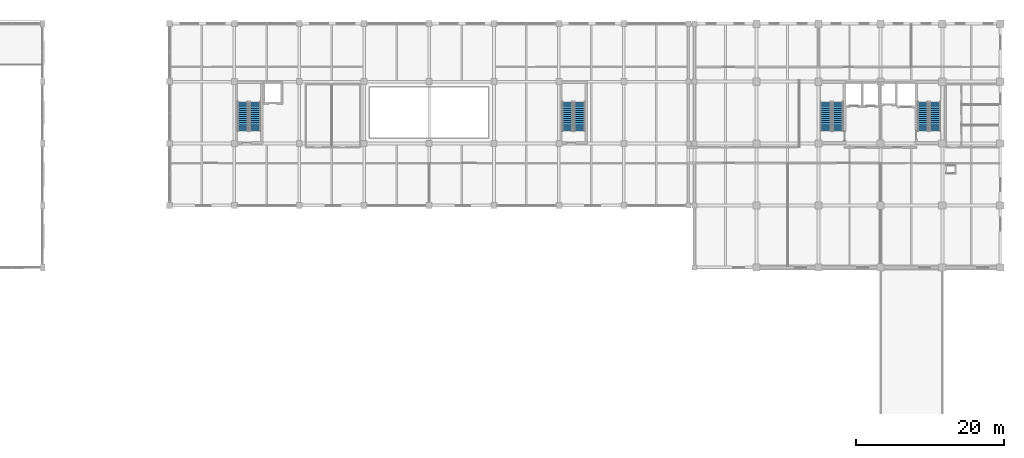
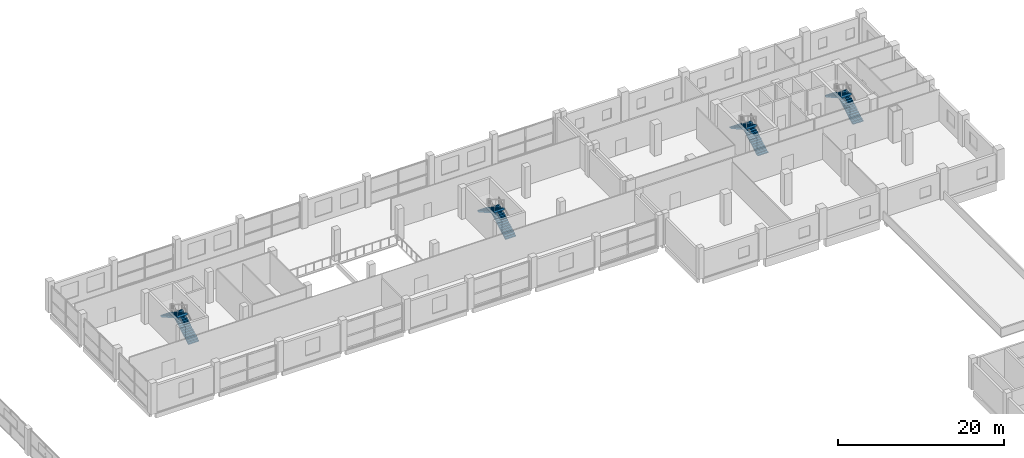
# One storey, part 26 of 31: 8 stair flights, 4 elements without a shape of their own.
"""IFC4 building model written with IfcOpenShell, lengths in metres."""

from ifc_helpers import new_model, si_unit, direction, frame, origin, place, context, subcontext, project, spatial, polyline, outline, extrude, material, type_object, element, aggregate, save


model = new_model("IFC4")

# Units and contexts
model_context = context("Model", 3, precision=1e-05, world=origin(), true_north=direction((0.0, 1.0)))
body_context = subcontext(model_context, "Body", "Model", "MODEL_VIEW")
ifc_project = project(units=[si_unit("LENGTHUNIT", "METRE"), si_unit("AREAUNIT", "SQUARE_METRE"), si_unit("VOLUMEUNIT", "CUBIC_METRE"), si_unit("PLANEANGLEUNIT", "RADIAN"), si_unit("MASSUNIT", "GRAM", prefix="KILO")], contexts=[model_context])

# Site, building, storey
site_placement = place(None, origin())
site = spatial("IfcSite", under=ifc_project, at=site_placement, CompositionType="ELEMENT")
building_placement = place(site_placement, origin())
building = spatial("IfcBuilding", under=site, at=building_placement, Name="Brinegate Botanical Conservatory", CompositionType="ELEMENT")
storey_placement = place(building_placement, frame((0.0, 0.0, 5.39990234375)))
storey = spatial("IfcBuildingStorey", under=building, at=storey_placement, Name="L02", CompositionType="ELEMENT", Elevation=5.39990234375)

# Stair, stair flights
ifc_material = material(Name="Concrete C40/50", Category="concrete")
stair_type = type_object("IfcStairType", Name="Stair_HT-4800", PredefinedType="HALF_TURN_STAIR", material=ifc_material)
stair_1_placement = place(storey_placement, origin())
stair_1 = element("IfcStair", 1, at=stair_1_placement, inside=storey, type_object=stair_type, Name="L02 Tower West Smoke-Proof Stair ST1", PredefinedType="HALF_TURN_STAIR")
stair_flight_type = type_object("IfcStairFlightType", Name="Flight_SF-4800", PredefinedType="STRAIGHT", material=ifc_material)
stair_flight_1_placement = place(storey_placement, frame((141.425048828125, 96.89990234375, 0.0), z_axis=(0.0, 0.0, 1.0), x_axis=(0.0, 1.0, 0.0)))
stair_flight_1 = element("IfcStairFlight", 2, at=stair_flight_1_placement, type_object=stair_flight_type, Name="ST1 flight 1", NumberOfRisers=15, NumberOfTreads=14, PredefinedType="STRAIGHT", RiserHeight=0.16, TreadLength=0.28, context=body_context, shape_type="SweptSolid", body=[
    extrude(outline(polyline([(-0.00048828125, 0.0), (-0.00048828125, 0.159912109375), (0.280029296875, 0.159912109375), (0.280029296875, 0.320068359375), (0.56005859375, 0.320068359375), (0.56005859375, 0.47998046875), (0.840087890625, 0.47998046875), (0.840087890625, 0.639892578125), (1.1201171875, 0.639892578125), (1.1201171875, 0.800048828125), (1.39990234375, 0.800048828125), (1.39990234375, 0.9599609375), (1.679931640625, 0.9599609375), (1.679931640625, 1.1201171875), (1.9599609375, 1.1201171875), (1.9599609375, 1.280029296875), (2.239990234375, 1.280029296875), (2.239990234375, 1.43994140625), (2.52001953125, 1.43994140625), (2.52001953125, 1.60009765625), (2.800048828125, 1.60009765625), (2.800048828125, 1.760009765625), (3.080078125, 1.760009765625), (3.080078125, 1.919921875), (3.360107421875, 1.919921875), (3.360107421875, 2.080078125), (3.639892578125, 2.080078125), (3.639892578125, 2.239990234375), (3.919921875, 2.239990234375), (3.919921875, 2.39990234375), (3.92041015625, 2.39990234375), (3.92041015625, 2.0673828125), (0.30224609375, 0.0), (-0.00048828125, 0.0)])), frame((0.0, 0.72509765625, 0.0), z_axis=(0.0, -1.0, 0.0), x_axis=(1.0, 0.0, 0.0)), (0.0, 0.0, 1.0), 1.449951171875),
])
stair_flight_2_placement = place(storey_placement, frame((139.77490234375, 100.820068359375, 2.400146484375), z_axis=(0.0, 0.0, 1.0), x_axis=(0.0, -1.0, 0.0)))
stair_flight_2 = element("IfcStairFlight", 3, at=stair_flight_2_placement, type_object=stair_flight_type, Name="ST1 flight 2", NumberOfRisers=15, NumberOfTreads=14, PredefinedType="STRAIGHT", RiserHeight=0.16, TreadLength=0.28, context=body_context, shape_type="SweptSolid", body=[
    extrude(outline(polyline([(-0.00048828125, 0.0), (-0.00048828125, 0.159912109375), (0.280029296875, 0.159912109375), (0.280029296875, 0.320068359375), (0.56005859375, 0.320068359375), (0.56005859375, 0.47998046875), (0.840087890625, 0.47998046875), (0.840087890625, 0.639892578125), (1.1201171875, 0.639892578125), (1.1201171875, 0.800048828125), (1.39990234375, 0.800048828125), (1.39990234375, 0.9599609375), (1.679931640625, 0.9599609375), (1.679931640625, 1.1201171875), (1.9599609375, 1.1201171875), (1.9599609375, 1.280029296875), (2.239990234375, 1.280029296875), (2.239990234375, 1.43994140625), (2.52001953125, 1.43994140625), (2.52001953125, 1.60009765625), (2.800048828125, 1.60009765625), (2.800048828125, 1.760009765625), (3.080078125, 1.760009765625), (3.080078125, 1.919921875), (3.360107421875, 1.919921875), (3.360107421875, 2.080078125), (3.639892578125, 2.080078125), (3.639892578125, 2.239990234375), (3.919921875, 2.239990234375), (3.919921875, 2.39990234375), (3.92041015625, 2.39990234375), (3.92041015625, 2.0673828125), (0.30224609375, 0.0), (-0.00048828125, 0.0)])), frame((0.0, 0.72509765625, 0.0), z_axis=(0.0, -1.0, 0.0), x_axis=(1.0, 0.0, 0.0)), (0.0, 0.0, 1.0), 1.449951171875),
])
aggregate(stair_1, [stair_flight_1, stair_flight_2])

stair_2_placement = place(storey_placement, origin())
stair_2 = element("IfcStair", 4, at=stair_2_placement, inside=storey, type_object=stair_type, Name="L02 Tower East Smoke-Proof Stair ST2", PredefinedType="HALF_TURN_STAIR")
stair_flight_3_placement = place(storey_placement, frame((154.625, 96.89990234375, 0.0), z_axis=(0.0, 0.0, 1.0), x_axis=(0.0, 1.0, 0.0)))
stair_flight_3 = element("IfcStairFlight", 5, at=stair_flight_3_placement, type_object=stair_flight_type, Name="ST2 flight 1", NumberOfRisers=15, NumberOfTreads=14, PredefinedType="STRAIGHT", RiserHeight=0.16, TreadLength=0.28, context=body_context, shape_type="SweptSolid", body=[
    extrude(outline(polyline([(-0.00048828125, 0.0), (-0.00048828125, 0.159912109375), (0.280029296875, 0.159912109375), (0.280029296875, 0.320068359375), (0.56005859375, 0.320068359375), (0.56005859375, 0.47998046875), (0.840087890625, 0.47998046875), (0.840087890625, 0.639892578125), (1.1201171875, 0.639892578125), (1.1201171875, 0.800048828125), (1.39990234375, 0.800048828125), (1.39990234375, 0.9599609375), (1.679931640625, 0.9599609375), (1.679931640625, 1.1201171875), (1.9599609375, 1.1201171875), (1.9599609375, 1.280029296875), (2.239990234375, 1.280029296875), (2.239990234375, 1.43994140625), (2.52001953125, 1.43994140625), (2.52001953125, 1.60009765625), (2.800048828125, 1.60009765625), (2.800048828125, 1.760009765625), (3.080078125, 1.760009765625), (3.080078125, 1.919921875), (3.360107421875, 1.919921875), (3.360107421875, 2.080078125), (3.639892578125, 2.080078125), (3.639892578125, 2.239990234375), (3.919921875, 2.239990234375), (3.919921875, 2.39990234375), (3.92041015625, 2.39990234375), (3.92041015625, 2.0673828125), (0.30224609375, 0.0), (-0.00048828125, 0.0)])), frame((0.0, 0.72509765625, 0.0), z_axis=(0.0, -1.0, 0.0), x_axis=(1.0, 0.0, 0.0)), (0.0, 0.0, 1.0), 1.449951171875),
])
stair_flight_4_placement = place(storey_placement, frame((152.97509765625, 100.820068359375, 2.400146484375), z_axis=(0.0, 0.0, 1.0), x_axis=(0.0, -1.0, 0.0)))
stair_flight_4 = element("IfcStairFlight", 6, at=stair_flight_4_placement, type_object=stair_flight_type, Name="ST2 flight 2", NumberOfRisers=15, NumberOfTreads=14, PredefinedType="STRAIGHT", RiserHeight=0.16, TreadLength=0.28, context=body_context, shape_type="SweptSolid", body=[
    extrude(outline(polyline([(-0.00048828125, 0.0), (-0.00048828125, 0.159912109375), (0.280029296875, 0.159912109375), (0.280029296875, 0.320068359375), (0.56005859375, 0.320068359375), (0.56005859375, 0.47998046875), (0.840087890625, 0.47998046875), (0.840087890625, 0.639892578125), (1.1201171875, 0.639892578125), (1.1201171875, 0.800048828125), (1.39990234375, 0.800048828125), (1.39990234375, 0.9599609375), (1.679931640625, 0.9599609375), (1.679931640625, 1.1201171875), (1.9599609375, 1.1201171875), (1.9599609375, 1.280029296875), (2.239990234375, 1.280029296875), (2.239990234375, 1.43994140625), (2.52001953125, 1.43994140625), (2.52001953125, 1.60009765625), (2.800048828125, 1.60009765625), (2.800048828125, 1.760009765625), (3.080078125, 1.760009765625), (3.080078125, 1.919921875), (3.360107421875, 1.919921875), (3.360107421875, 2.080078125), (3.639892578125, 2.080078125), (3.639892578125, 2.239990234375), (3.919921875, 2.239990234375), (3.919921875, 2.39990234375), (3.92041015625, 2.39990234375), (3.92041015625, 2.0673828125), (0.30224609375, 0.0), (-0.00048828125, 0.0)])), frame((0.0, 0.72509765625, 0.0), z_axis=(0.0, -1.0, 0.0), x_axis=(1.0, 0.0, 0.0)), (0.0, 0.0, 1.0), 1.449951171875),
])
aggregate(stair_2, [stair_flight_3, stair_flight_4])

stair_3_placement = place(storey_placement, origin())
stair_3 = element("IfcStair", 7, at=stair_3_placement, inside=storey, type_object=stair_type, Name="L02 Visitor Wing West Smoke-Proof Stair ST3", PredefinedType="HALF_TURN_STAIR")
stair_flight_5_placement = place(storey_placement, frame((62.425048828125, 96.89990234375, 0.0), z_axis=(0.0, 0.0, 1.0), x_axis=(0.0, 1.0, 0.0)))
stair_flight_5 = element("IfcStairFlight", 8, at=stair_flight_5_placement, type_object=stair_flight_type, Name="ST3 flight 1", NumberOfRisers=15, NumberOfTreads=14, PredefinedType="STRAIGHT", RiserHeight=0.16, TreadLength=0.28, context=body_context, shape_type="SweptSolid", body=[
    extrude(outline(polyline([(-0.00048828125, 0.0), (-0.00048828125, 0.159912109375), (0.280029296875, 0.159912109375), (0.280029296875, 0.320068359375), (0.56005859375, 0.320068359375), (0.56005859375, 0.47998046875), (0.840087890625, 0.47998046875), (0.840087890625, 0.639892578125), (1.1201171875, 0.639892578125), (1.1201171875, 0.800048828125), (1.39990234375, 0.800048828125), (1.39990234375, 0.9599609375), (1.679931640625, 0.9599609375), (1.679931640625, 1.1201171875), (1.9599609375, 1.1201171875), (1.9599609375, 1.280029296875), (2.239990234375, 1.280029296875), (2.239990234375, 1.43994140625), (2.52001953125, 1.43994140625), (2.52001953125, 1.60009765625), (2.800048828125, 1.60009765625), (2.800048828125, 1.760009765625), (3.080078125, 1.760009765625), (3.080078125, 1.919921875), (3.360107421875, 1.919921875), (3.360107421875, 2.080078125), (3.639892578125, 2.080078125), (3.639892578125, 2.239990234375), (3.919921875, 2.239990234375), (3.919921875, 2.39990234375), (3.92041015625, 2.39990234375), (3.92041015625, 2.0673828125), (0.30224609375, 0.0), (-0.00048828125, 0.0)])), frame((0.0, 0.72509765625, 0.0), z_axis=(0.0, -1.0, 0.0), x_axis=(1.0, 0.0, 0.0)), (0.0, 0.0, 1.0), 1.449951171875),
])
stair_flight_6_placement = place(storey_placement, frame((60.77490234375, 100.820068359375, 2.400146484375), z_axis=(0.0, 0.0, 1.0), x_axis=(0.0, -1.0, 0.0)))
stair_flight_6 = element("IfcStairFlight", 9, at=stair_flight_6_placement, type_object=stair_flight_type, Name="ST3 flight 2", NumberOfRisers=15, NumberOfTreads=14, PredefinedType="STRAIGHT", RiserHeight=0.16, TreadLength=0.28, context=body_context, shape_type="SweptSolid", body=[
    extrude(outline(polyline([(-0.00048828125, 0.0), (-0.00048828125, 0.159912109375), (0.280029296875, 0.159912109375), (0.280029296875, 0.320068359375), (0.56005859375, 0.320068359375), (0.56005859375, 0.47998046875), (0.840087890625, 0.47998046875), (0.840087890625, 0.639892578125), (1.1201171875, 0.639892578125), (1.1201171875, 0.800048828125), (1.39990234375, 0.800048828125), (1.39990234375, 0.9599609375), (1.679931640625, 0.9599609375), (1.679931640625, 1.1201171875), (1.9599609375, 1.1201171875), (1.9599609375, 1.280029296875), (2.239990234375, 1.280029296875), (2.239990234375, 1.43994140625), (2.52001953125, 1.43994140625), (2.52001953125, 1.60009765625), (2.800048828125, 1.60009765625), (2.800048828125, 1.760009765625), (3.080078125, 1.760009765625), (3.080078125, 1.919921875), (3.360107421875, 1.919921875), (3.360107421875, 2.080078125), (3.639892578125, 2.080078125), (3.639892578125, 2.239990234375), (3.919921875, 2.239990234375), (3.919921875, 2.39990234375), (3.92041015625, 2.39990234375), (3.92041015625, 2.0673828125), (0.30224609375, 0.0), (-0.00048828125, 0.0)])), frame((0.0, 0.72509765625, 0.0), z_axis=(0.0, -1.0, 0.0), x_axis=(1.0, 0.0, 0.0)), (0.0, 0.0, 1.0), 1.449951171875),
])
aggregate(stair_3, [stair_flight_5, stair_flight_6])

stair_4_placement = place(storey_placement, origin())
stair_4 = element("IfcStair", 10, at=stair_4_placement, inside=storey, type_object=stair_type, Name="L02 Visitor Wing East Smoke-Proof Stair ST4", PredefinedType="HALF_TURN_STAIR")
stair_flight_7_placement = place(storey_placement, frame((106.425048828125, 96.89990234375, 0.0), z_axis=(0.0, 0.0, 1.0), x_axis=(0.0, 1.0, 0.0)))
stair_flight_7 = element("IfcStairFlight", 11, at=stair_flight_7_placement, type_object=stair_flight_type, Name="ST4 flight 1", NumberOfRisers=15, NumberOfTreads=14, PredefinedType="STRAIGHT", RiserHeight=0.16, TreadLength=0.28, context=body_context, shape_type="SweptSolid", body=[
    extrude(outline(polyline([(-0.00048828125, 0.0), (-0.00048828125, 0.159912109375), (0.280029296875, 0.159912109375), (0.280029296875, 0.320068359375), (0.56005859375, 0.320068359375), (0.56005859375, 0.47998046875), (0.840087890625, 0.47998046875), (0.840087890625, 0.639892578125), (1.1201171875, 0.639892578125), (1.1201171875, 0.800048828125), (1.39990234375, 0.800048828125), (1.39990234375, 0.9599609375), (1.679931640625, 0.9599609375), (1.679931640625, 1.1201171875), (1.9599609375, 1.1201171875), (1.9599609375, 1.280029296875), (2.239990234375, 1.280029296875), (2.239990234375, 1.43994140625), (2.52001953125, 1.43994140625), (2.52001953125, 1.60009765625), (2.800048828125, 1.60009765625), (2.800048828125, 1.760009765625), (3.080078125, 1.760009765625), (3.080078125, 1.919921875), (3.360107421875, 1.919921875), (3.360107421875, 2.080078125), (3.639892578125, 2.080078125), (3.639892578125, 2.239990234375), (3.919921875, 2.239990234375), (3.919921875, 2.39990234375), (3.92041015625, 2.39990234375), (3.92041015625, 2.0673828125), (0.30224609375, 0.0), (-0.00048828125, 0.0)])), frame((0.0, 0.72509765625, 0.0), z_axis=(0.0, -1.0, 0.0), x_axis=(1.0, 0.0, 0.0)), (0.0, 0.0, 1.0), 1.449951171875),
])
stair_flight_8_placement = place(storey_placement, frame((104.77490234375, 100.820068359375, 2.400146484375), z_axis=(0.0, 0.0, 1.0), x_axis=(0.0, -1.0, 0.0)))
stair_flight_8 = element("IfcStairFlight", 12, at=stair_flight_8_placement, type_object=stair_flight_type, Name="ST4 flight 2", NumberOfRisers=15, NumberOfTreads=14, PredefinedType="STRAIGHT", RiserHeight=0.16, TreadLength=0.28, context=body_context, shape_type="SweptSolid", body=[
    extrude(outline(polyline([(-0.00048828125, 0.0), (-0.00048828125, 0.159912109375), (0.280029296875, 0.159912109375), (0.280029296875, 0.320068359375), (0.56005859375, 0.320068359375), (0.56005859375, 0.47998046875), (0.840087890625, 0.47998046875), (0.840087890625, 0.639892578125), (1.1201171875, 0.639892578125), (1.1201171875, 0.800048828125), (1.39990234375, 0.800048828125), (1.39990234375, 0.9599609375), (1.679931640625, 0.9599609375), (1.679931640625, 1.1201171875), (1.9599609375, 1.1201171875), (1.9599609375, 1.280029296875), (2.239990234375, 1.280029296875), (2.239990234375, 1.43994140625), (2.52001953125, 1.43994140625), (2.52001953125, 1.60009765625), (2.800048828125, 1.60009765625), (2.800048828125, 1.760009765625), (3.080078125, 1.760009765625), (3.080078125, 1.919921875), (3.360107421875, 1.919921875), (3.360107421875, 2.080078125), (3.639892578125, 2.080078125), (3.639892578125, 2.239990234375), (3.919921875, 2.239990234375), (3.919921875, 2.39990234375), (3.92041015625, 2.39990234375), (3.92041015625, 2.0673828125), (0.30224609375, 0.0), (-0.00048828125, 0.0)])), frame((0.0, 0.72509765625, 0.0), z_axis=(0.0, -1.0, 0.0), x_axis=(1.0, 0.0, 0.0)), (0.0, 0.0, 1.0), 1.449951171875),
])
aggregate(stair_4, [stair_flight_7, stair_flight_8])

save(model, "model.ifc")
